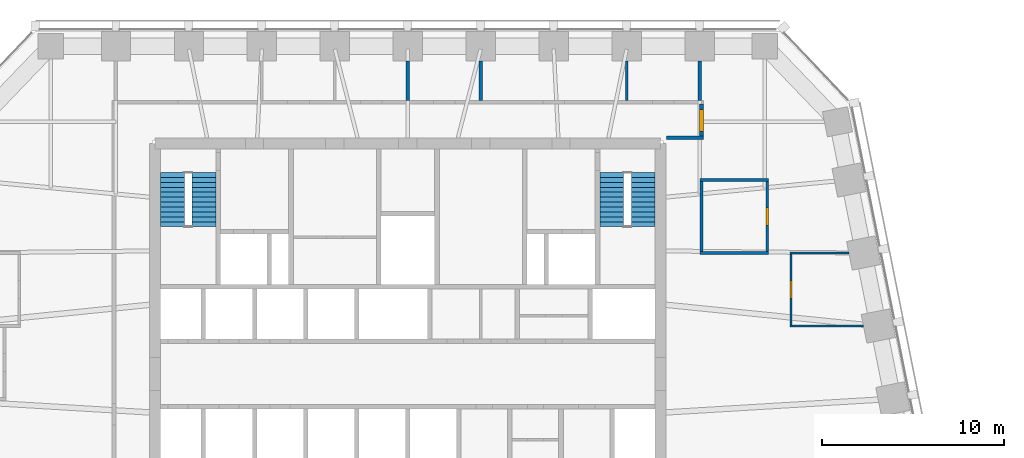
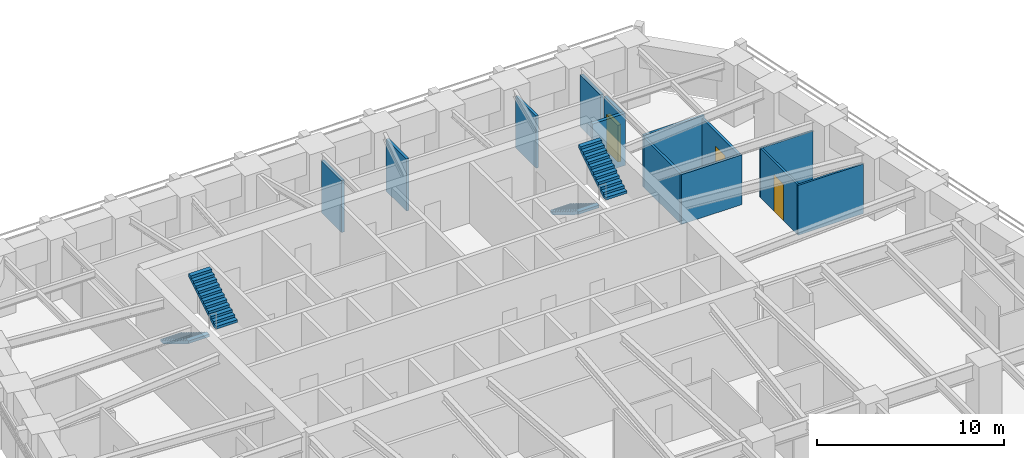
# One storey, part 8 of 10: 13 walls, 4 stair flights, 3 doors, 3 openings, 2 elements without a shape of their own.
"""IFC4 building model written with IfcOpenShell, lengths in metres."""

from ifc_helpers import new_model, si_unit, direction, frame, frame_2d, origin, place, context, subcontext, project, spatial, polyline, rectangle, outline, extrude, material, layer, layer_set, type_object, element, fill, aggregate, save


model = new_model("IFC4")

# Units and contexts
model_context = context("Model", 3, precision=1e-05, world=origin(), true_north=direction((0.0, 1.0)))
body_context = subcontext(model_context, "Body", "Model", "MODEL_VIEW")
ifc_project = project(units=[si_unit("LENGTHUNIT", "METRE"), si_unit("AREAUNIT", "SQUARE_METRE"), si_unit("VOLUMEUNIT", "CUBIC_METRE"), si_unit("PLANEANGLEUNIT", "RADIAN"), si_unit("MASSUNIT", "GRAM", prefix="KILO")], contexts=[model_context])

# Site, building, storey
site_placement = place(None, origin())
site = spatial("IfcSite", under=ifc_project, at=site_placement, CompositionType="ELEMENT")
building_placement = place(site_placement, origin())
building = spatial("IfcBuilding", under=site, at=building_placement, Name="Isbrekke Arena Tower", CompositionType="ELEMENT")
storey_placement = place(building_placement, frame((0.0, 0.0, 226.0)))
storey = spatial("IfcBuildingStorey", under=building, at=storey_placement, Name="L52", CompositionType="ELEMENT", Elevation=226.0)

# Walls
ifc_material_1 = material(Name="Gypsum board partition on steel studs", Category="steel")
ifc_layer_1 = layer(ifc_material_1, 0.14990234375)
ifc_layer_set_1 = layer_set([ifc_layer_1], Name="IW1 PARTITION 150")
wall_type_1 = type_object("IfcWallType", Name="IW1 PARTITION 150", PredefinedType="PARTITIONING", material=ifc_layer_set_1)
wall_1_placement = place(storey_placement, frame((16.02490234375, 17.840087890625, 0.0), z_axis=(0.0, 0.0, 1.0), x_axis=(1.0, 0.0, 0.0)))
element("IfcWall", 1, at=wall_1_placement, inside=storey, type_object=wall_type_1, Name="IW1 partition 150 L52", PredefinedType="PARTITIONING", context=body_context, shape_type="SweptSolid", body=[
    extrude(rectangle(XDim=3.75, YDim=0.14990234375, at=frame_2d((1.875, 0.0))), origin(), (0.0, 0.0, 1.0), 3.25),
])
wall_2_placement = place(storey_placement, frame((16.02490234375, 21.840087890625, 0.0), z_axis=(0.0, 0.0, 1.0), x_axis=(1.0, 0.0, 0.0)))
element("IfcWall", 2, at=wall_2_placement, inside=storey, type_object=wall_type_1, Name="IW1 partition 150 L52", PredefinedType="PARTITIONING", context=body_context, shape_type="SweptSolid", body=[
    extrude(rectangle(XDim=3.75, YDim=0.14990234375, at=frame_2d((1.875, 0.0))), origin(), (0.0, 0.0, 1.0), 3.39990234375),
])
wall_3_placement = place(storey_placement, frame((12.0, 26.199951171875, 0.0), z_axis=(0.0, 0.0, 1.0), x_axis=(0.0, 1.0, 0.0)))
element("IfcWall", 3, at=wall_3_placement, inside=storey, type_object=wall_type_1, Name="IW1 partition 150 L52", PredefinedType="PARTITIONING", context=body_context, shape_type="SweptSolid", body=[
    extrude(rectangle(XDim=2.175048828125, YDim=0.14990234375, at=frame_2d((1.08740234375, 0.0))), origin(), (0.0, 0.0, 1.0), 3.39990234375),
])
wall_4_placement = place(storey_placement, frame((16.10009765625, 17.9150390625, 0.0), z_axis=(0.0, 0.0, 1.0), x_axis=(0.0, 1.0, 0.0)))
element("IfcWall", 4, at=wall_4_placement, inside=storey, type_object=wall_type_1, Name="IW1 partition 150 L52", PredefinedType="PARTITIONING", context=body_context, shape_type="SweptSolid", body=[
    extrude(rectangle(XDim=3.849853515625, YDim=0.14990234375, at=frame_2d((1.9248046875, 0.0))), origin(), (0.0, 0.0, 1.0), 3.25),
])

# Wall, opening, door
wall_5_placement = place(storey_placement, frame((19.699951171875, 17.9150390625, 0.0), z_axis=(0.0, 0.0, 1.0), x_axis=(0.0, 1.0, 0.0)))
wall_5 = element("IfcWall", 5, at=wall_5_placement, inside=storey, type_object=wall_type_1, Name="IW1 partition 150 L52", PredefinedType="PARTITIONING", context=body_context, shape_type="SweptSolid", body=[
    extrude(rectangle(XDim=3.849853515625, YDim=0.14990234375, at=frame_2d((1.9248046875, 0.0))), origin(), (0.0, 0.0, 1.0), 3.25),
])
opening_1_placement = place(wall_5_placement, frame((1.425048828125, 0.0, 0.0)))
opening_1 = element("IfcOpeningElement", 6, at=opening_1_placement, cuts=wall_5, Name="Opening D10", PredefinedType="OPENING", context=body_context, shape_type="SweptSolid", body=[
    extrude(rectangle(XDim=1.0, YDim=2.300048828125, at=frame_2d((0.5, 1.14990234375))), frame((0.0, 0.08984375, 0.0), z_axis=(0.0, -1.0, 0.0), x_axis=(1.0, 0.0, 0.0)), (0.0, 0.0, 1.0), 0.1796875),
])
ifc_material_2 = material(Name="Timber door", Category="wood")
door_type_1 = type_object("IfcDoorType", Name="D10 OFFICE DOOR 1000 x 2300", OperationType="SINGLE_SWING_LEFT", PredefinedType="DOOR", material=ifc_material_2)
door_1_placement = place(opening_1_placement, origin())
door_1 = element("IfcDoor", 7, at=door_1_placement, inside=storey, type_object=door_type_1, Name="D10 pantry door L52", OperationType="SINGLE_SWING_LEFT", OverallHeight=2.300048828125, OverallWidth=1.0, PredefinedType="DOOR", context=body_context, shape_type="SweptSolid", body=[
    extrude(rectangle(XDim=1.0, YDim=2.300048828125, at=frame_2d((0.5, 1.14990234375))), frame((0.0, 0.07470703125, 0.0), z_axis=(0.0, -1.0, 0.0), x_axis=(1.0, 0.0, 0.0)), (0.0, 0.0, 1.0), 0.1494140625),
])
fill(opening_1, door_1)

# Walls
ifc_material_3 = material(Name="Frameless glazed partition, laminated acoustic glass", Category="glass")
ifc_layer_2 = layer(ifc_material_3, 0.1201171875)
ifc_layer_set_2 = layer_set([ifc_layer_2], Name="IW2 GLAZED PARTITION 120")
wall_type_2 = type_object("IfcWallType", Name="IW2 GLAZED PARTITION 120", PredefinedType="PARTITIONING", material=ifc_layer_set_2)
wall_6_placement = place(storey_placement, frame((20.93994140625, 13.840087890625, 0.0), z_axis=(0.0, 0.0, 1.0), x_axis=(1.0, 0.0, 0.0)))
element("IfcWall", 8, at=wall_6_placement, inside=storey, type_object=wall_type_2, Name="IW2 glazed partition 120 L52", PredefinedType="PARTITIONING", context=body_context, shape_type="SweptSolid", body=[
    extrude(rectangle(XDim=4.034912109375, YDim=0.1201171875, at=frame_2d((2.017578125, 0.0))), origin(), (0.0, 0.0, 1.0), 3.25),
])
wall_7_placement = place(storey_placement, frame((20.93994140625, 17.840087890625, 0.0), z_axis=(0.0, 0.0, 1.0), x_axis=(1.0, 0.0, 0.0)))
element("IfcWall", 9, at=wall_7_placement, inside=storey, type_object=wall_type_2, Name="IW2 glazed partition 120 L52", PredefinedType="PARTITIONING", context=body_context, shape_type="SweptSolid", body=[
    extrude(rectangle(XDim=3.23486328125, YDim=0.1201171875, at=frame_2d((1.617431640625, 0.0))), origin(), (0.0, 0.0, 1.0), 3.25),
])

# Wall, opening, door
wall_8_placement = place(storey_placement, frame((21.0, 13.89990234375, 0.0), z_axis=(0.0, 0.0, 1.0), x_axis=(0.0, 1.0, 0.0)))
wall_8 = element("IfcWall", 10, at=wall_8_placement, inside=storey, type_object=wall_type_2, Name="IW2 glazed partition 120 L52", PredefinedType="PARTITIONING", context=body_context, shape_type="SweptSolid", body=[
    extrude(rectangle(XDim=3.880126953125, YDim=0.1201171875, at=frame_2d((1.93994140625, 0.0))), origin(), (0.0, 0.0, 1.0), 3.25),
])
opening_2_placement = place(wall_8_placement, frame((1.43994140625, 0.0, 0.0)))
opening_2 = element("IfcOpeningElement", 11, at=opening_2_placement, cuts=wall_8, Name="Opening D11", PredefinedType="OPENING", context=body_context, shape_type="SweptSolid", body=[
    extrude(rectangle(XDim=1.0, YDim=2.39990234375, at=frame_2d((0.5, 1.199951171875))), frame((0.0, 0.074951171875, 0.0), z_axis=(0.0, -1.0, 0.0), x_axis=(1.0, 0.0, 0.0)), (0.0, 0.0, 1.0), 0.14990234375),
])
ifc_material_4 = material(Name="Frameless glazed door", Category="glass")
door_type_2 = type_object("IfcDoorType", Name="D11 GLAZED MEETING ROOM DOOR 1000 x 2400", OperationType="SINGLE_SWING_RIGHT", PredefinedType="DOOR", material=ifc_material_4)
door_2_placement = place(opening_2_placement, origin())
door_2 = element("IfcDoor", 12, at=door_2_placement, inside=storey, type_object=door_type_2, Name="D11 meeting room door L52", OperationType="SINGLE_SWING_RIGHT", OverallHeight=2.39990234375, OverallWidth=1.0, PredefinedType="DOOR", context=body_context, shape_type="SweptSolid", body=[
    extrude(rectangle(XDim=1.0, YDim=2.39990234375, at=frame_2d((0.5, 1.199951171875))), frame((0.0, 0.059814453125, 0.0), z_axis=(0.0, -1.0, 0.0), x_axis=(1.0, 0.0, 0.0)), (0.0, 0.0, 1.0), 0.11962890625),
])
fill(opening_2, door_2)

# Walls
ifc_material_5 = material(Name="Gypsum board fire-cell wall on steel studs, two layers each side", Category="steel")
ifc_layer_3 = layer(ifc_material_5, 0.199951171875)
ifc_layer_set_3 = layer_set([ifc_layer_3], Name="IW3 FIRE-CELL WALL 200")
wall_type_3 = type_object("IfcWallType", Name="IW3 FIRE-CELL WALL 200", PredefinedType="PARTITIONING", material=ifc_layer_set_3)
wall_9_placement = place(storey_placement, frame((14.179931640625, 24.14990234375, 0.0), z_axis=(0.0, 0.0, 1.0), x_axis=(1.0, 0.0, 0.0)))
element("IfcWall", 13, at=wall_9_placement, inside=storey, type_object=wall_type_3, Name="IW3 fire-cell wall 200 L52", PredefinedType="PARTITIONING", context=body_context, shape_type="SweptSolid", body=[
    extrude(rectangle(XDim=2.02001953125, YDim=0.199951171875, at=frame_2d((1.010009765625, 0.0))), origin(), (0.0, 0.0, 1.0), 3.39990234375),
])
wall_10_placement = place(storey_placement, frame((16.0, 26.199951171875, 0.0), z_axis=(0.0, 0.0, 1.0), x_axis=(0.0, 1.0, 0.0)))
element("IfcWall", 14, at=wall_10_placement, inside=storey, type_object=wall_type_3, Name="IW3 fire-cell wall 200 L52", PredefinedType="PARTITIONING", context=body_context, shape_type="SweptSolid", body=[
    extrude(rectangle(XDim=2.175048828125, YDim=0.199951171875, at=frame_2d((1.08740234375, 0.0))), origin(), (0.0, 0.0, 1.0), 3.39990234375),
])

# Wall, opening, door
wall_11_placement = place(storey_placement, frame((16.10009765625, 24.25, 0.0), z_axis=(0.0, 0.0, 1.0), x_axis=(0.0, 1.0, 0.0)))
wall_11 = element("IfcWall", 15, at=wall_11_placement, inside=storey, type_object=wall_type_3, Name="IW3 fire-cell wall 200 L52", PredefinedType="PARTITIONING", context=body_context, shape_type="SweptSolid", body=[
    extrude(rectangle(XDim=1.75, YDim=0.199951171875, at=frame_2d((0.875, 0.0))), origin(), (0.0, 0.0, 1.0), 3.39990234375),
])
opening_3_placement = place(wall_11_placement, frame((0.25, 0.0, 0.0)))
opening_3 = element("IfcOpeningElement", 16, at=opening_3_placement, cuts=wall_11, Name="Opening D12", PredefinedType="OPENING", context=body_context, shape_type="SweptSolid", body=[
    extrude(rectangle(XDim=1.199951171875, YDim=2.39990234375, at=frame_2d((0.60009765625, 1.199951171875))), frame((0.0, 0.11474609375, 0.0), z_axis=(0.0, -1.0, 0.0), x_axis=(1.0, 0.0, 0.0)), (0.0, 0.0, 1.0), 0.229736328125),
])
ifc_material_6 = material(Name="Timber fire door with vision panel", Category="wood")
door_type_3 = type_object("IfcDoorType", Name="D12 SUITE ENTRANCE DOOR 1200 x 2400", OperationType="SINGLE_SWING_LEFT", PredefinedType="DOOR", material=ifc_material_6)
door_3_placement = place(opening_3_placement, origin())
door_3 = element("IfcDoor", 17, at=door_3_placement, inside=storey, type_object=door_type_3, Name="D12 suite entrance N door L52", OperationType="SINGLE_SWING_LEFT", OverallHeight=2.39990234375, OverallWidth=1.199951171875, PredefinedType="DOOR", context=body_context, shape_type="SweptSolid", body=[
    extrude(rectangle(XDim=1.199951171875, YDim=2.39990234375, at=frame_2d((0.60009765625, 1.199951171875))), frame((0.0, 0.099609375, 0.0), z_axis=(0.0, -1.0, 0.0), x_axis=(1.0, 0.0, 0.0)), (0.0, 0.0, 1.0), 0.199462890625),
])
fill(opening_3, door_3)

# Walls
ifc_material_7 = material(Name="Gypsum board acoustic partition on twin steel studs", Category="steel")
ifc_layer_4 = layer(ifc_material_7, 0.175048828125)
ifc_layer_set_4 = layer_set([ifc_layer_4], Name="IW4 ACOUSTIC PARTITION 175")
wall_type_4 = type_object("IfcWallType", Name="IW4 ACOUSTIC PARTITION 175", PredefinedType="PARTITIONING", material=ifc_layer_set_4)
for number, where, z_axis, x_axis, name in (
    (18, (0.0, 26.199951171875, 0.0), (0.0, 0.0, 1.0), (0.0, 1.0, 0.0), "IW4 acoustic partition 175 L52"),
    (19, (4.0, 26.199951171875, 0.0), (0.0, 0.0, 1.0), (0.0, 1.0, 0.0), "IW4 acoustic partition 175 L52"),
):
    element("IfcWall", number, at=place(storey_placement, frame(where, z_axis=z_axis, x_axis=x_axis)), inside=storey, type_object=wall_type_4, Name=name, PredefinedType="PARTITIONING", context=body_context, shape_type="SweptSolid", body=[
        extrude(rectangle(XDim=2.175048828125, YDim=0.175048828125, at=frame_2d((1.08740234375, 0.0))), origin(), (0.0, 0.0, 1.0), 3.39990234375),
    ])

# Stair, stair flights
ifc_material_8 = material(Name="Concrete B45 (C45/55) precast", Category="concrete")
stair_type = type_object("IfcStairType", Name="ST40 STAIR 1300 WIDE, 24 RISERS 167", PredefinedType="HALF_TURN_STAIR", material=ifc_material_8)
stair_1_placement = place(storey_placement, origin())
stair_1 = element("IfcStair", 20, at=stair_1_placement, inside=storey, type_object=stair_type, Name="ST1 stair L52", PredefinedType="HALF_TURN_STAIR")
ifc_material_9 = material(Name="Concrete B45 (C45/55) precast", Category="concrete")
stair_flight_type = type_object("IfcStairFlightType", Name="SF 1300 FLIGHT", PredefinedType="STRAIGHT", material=ifc_material_9)
stair_flight_1_placement = place(storey_placement, frame((-12.89990234375, 22.25, 0.0), z_axis=(0.0, 0.0, 1.0), x_axis=(0.0, -1.0, 0.0)))
stair_flight_1 = element("IfcStairFlight", 21, at=stair_flight_1_placement, type_object=stair_flight_type, Name="ST1 flight 1", NumberOfRisers=12, NumberOfTreads=11, PredefinedType="STRAIGHT", RiserHeight=0.166666667, TreadLength=0.27, context=body_context, shape_type="SweptSolid", body=[
    extrude(outline(polyline([(0.0, 0.0), (0.0, 0.166748046875), (0.27001953125, 0.166748046875), (0.27001953125, 0.333251953125), (0.5400390625, 0.333251953125), (0.5400390625, 0.5), (0.81005859375, 0.5), (0.81005859375, 0.666748046875), (1.080078125, 0.666748046875), (1.080078125, 0.833251953125), (1.35009765625, 0.833251953125), (1.35009765625, 1.0), (1.6201171875, 1.0), (1.6201171875, 1.166748046875), (1.889892578125, 1.166748046875), (1.889892578125, 1.333251953125), (2.159912109375, 1.333251953125), (2.159912109375, 1.5), (2.429931640625, 1.5), (2.429931640625, 1.666748046875), (2.699951171875, 1.666748046875), (2.699951171875, 1.833251953125), (2.969970703125, 1.833251953125), (2.969970703125, 2.0), (2.969970703125, 1.6572265625), (0.285400390625, 0.0), (0.0, 0.0)])), frame((0.0, 0.64990234375, 0.0), z_axis=(0.0, -1.0, 0.0), x_axis=(1.0, 0.0, 0.0)), (0.0, 0.0, 1.0), 1.300048828125),
])
stair_flight_2_placement = place(storey_placement, frame((-11.175048828125, 19.280029296875, 2.0), z_axis=(0.0, 0.0, 1.0), x_axis=(0.0, 1.0, 0.0)))
stair_flight_2 = element("IfcStairFlight", 22, at=stair_flight_2_placement, type_object=stair_flight_type, Name="ST1 flight 2", NumberOfRisers=12, NumberOfTreads=11, PredefinedType="STRAIGHT", RiserHeight=0.166666667, TreadLength=0.27, context=body_context, shape_type="SweptSolid", body=[
    extrude(outline(polyline([(0.0, 0.0), (0.0, 0.166748046875), (0.27001953125, 0.166748046875), (0.27001953125, 0.333251953125), (0.5400390625, 0.333251953125), (0.5400390625, 0.5), (0.81005859375, 0.5), (0.81005859375, 0.666748046875), (1.080078125, 0.666748046875), (1.080078125, 0.833251953125), (1.35009765625, 0.833251953125), (1.35009765625, 1.0), (1.6201171875, 1.0), (1.6201171875, 1.166748046875), (1.889892578125, 1.166748046875), (1.889892578125, 1.333251953125), (2.159912109375, 1.333251953125), (2.159912109375, 1.5), (2.429931640625, 1.5), (2.429931640625, 1.666748046875), (2.699951171875, 1.666748046875), (2.699951171875, 1.833251953125), (2.969970703125, 1.833251953125), (2.969970703125, 2.0), (2.969970703125, 1.6572265625), (0.285400390625, 0.0), (0.0, 0.0)])), frame((0.0, 0.64990234375, 0.0), z_axis=(0.0, -1.0, 0.0), x_axis=(1.0, 0.0, 0.0)), (0.0, 0.0, 1.0), 1.300048828125),
])
aggregate(stair_1, [stair_flight_1, stair_flight_2])

stair_2_placement = place(storey_placement, origin())
stair_2 = element("IfcStair", 23, at=stair_2_placement, inside=storey, type_object=stair_type, Name="ST2 stair L52", PredefinedType="HALF_TURN_STAIR")
stair_flight_3_placement = place(storey_placement, frame((11.175048828125, 22.25, 0.0), z_axis=(0.0, 0.0, 1.0), x_axis=(0.0, -1.0, 0.0)))
stair_flight_3 = element("IfcStairFlight", 24, at=stair_flight_3_placement, type_object=stair_flight_type, Name="ST2 flight 1", NumberOfRisers=12, NumberOfTreads=11, PredefinedType="STRAIGHT", RiserHeight=0.166666667, TreadLength=0.27, context=body_context, shape_type="SweptSolid", body=[
    extrude(outline(polyline([(0.0, 0.0), (0.0, 0.166748046875), (0.27001953125, 0.166748046875), (0.27001953125, 0.333251953125), (0.5400390625, 0.333251953125), (0.5400390625, 0.5), (0.81005859375, 0.5), (0.81005859375, 0.666748046875), (1.080078125, 0.666748046875), (1.080078125, 0.833251953125), (1.35009765625, 0.833251953125), (1.35009765625, 1.0), (1.6201171875, 1.0), (1.6201171875, 1.166748046875), (1.889892578125, 1.166748046875), (1.889892578125, 1.333251953125), (2.159912109375, 1.333251953125), (2.159912109375, 1.5), (2.429931640625, 1.5), (2.429931640625, 1.666748046875), (2.699951171875, 1.666748046875), (2.699951171875, 1.833251953125), (2.969970703125, 1.833251953125), (2.969970703125, 2.0), (2.969970703125, 1.6572265625), (0.285400390625, 0.0), (0.0, 0.0)])), frame((0.0, 0.64990234375, 0.0), z_axis=(0.0, -1.0, 0.0), x_axis=(1.0, 0.0, 0.0)), (0.0, 0.0, 1.0), 1.300048828125),
])
stair_flight_4_placement = place(storey_placement, frame((12.89990234375, 19.280029296875, 2.0), z_axis=(0.0, 0.0, 1.0), x_axis=(0.0, 1.0, 0.0)))
stair_flight_4 = element("IfcStairFlight", 25, at=stair_flight_4_placement, type_object=stair_flight_type, Name="ST2 flight 2", NumberOfRisers=12, NumberOfTreads=11, PredefinedType="STRAIGHT", RiserHeight=0.166666667, TreadLength=0.27, context=body_context, shape_type="SweptSolid", body=[
    extrude(outline(polyline([(0.0, 0.0), (0.0, 0.166748046875), (0.27001953125, 0.166748046875), (0.27001953125, 0.333251953125), (0.5400390625, 0.333251953125), (0.5400390625, 0.5), (0.81005859375, 0.5), (0.81005859375, 0.666748046875), (1.080078125, 0.666748046875), (1.080078125, 0.833251953125), (1.35009765625, 0.833251953125), (1.35009765625, 1.0), (1.6201171875, 1.0), (1.6201171875, 1.166748046875), (1.889892578125, 1.166748046875), (1.889892578125, 1.333251953125), (2.159912109375, 1.333251953125), (2.159912109375, 1.5), (2.429931640625, 1.5), (2.429931640625, 1.666748046875), (2.699951171875, 1.666748046875), (2.699951171875, 1.833251953125), (2.969970703125, 1.833251953125), (2.969970703125, 2.0), (2.969970703125, 1.6572265625), (0.285400390625, 0.0), (0.0, 0.0)])), frame((0.0, 0.64990234375, 0.0), z_axis=(0.0, -1.0, 0.0), x_axis=(1.0, 0.0, 0.0)), (0.0, 0.0, 1.0), 1.300048828125),
])
aggregate(stair_2, [stair_flight_3, stair_flight_4])

save(model, "model.ifc")
